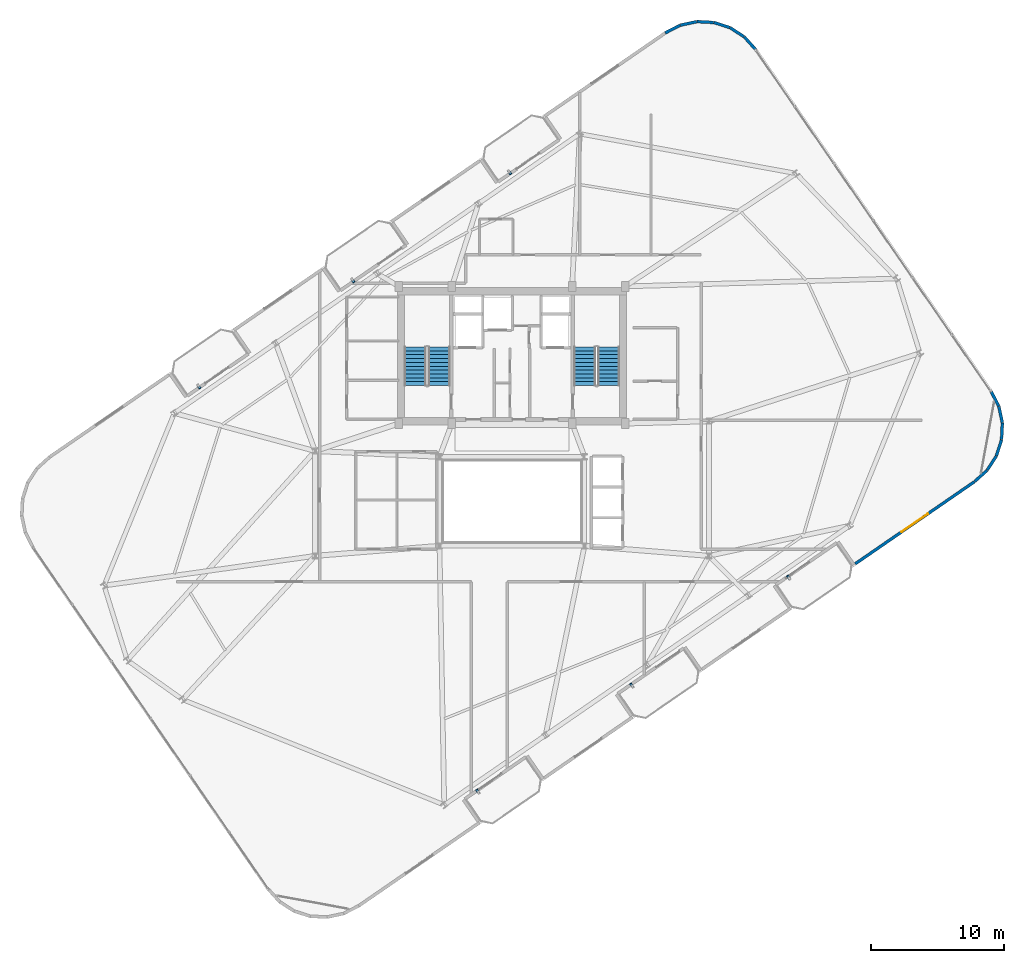
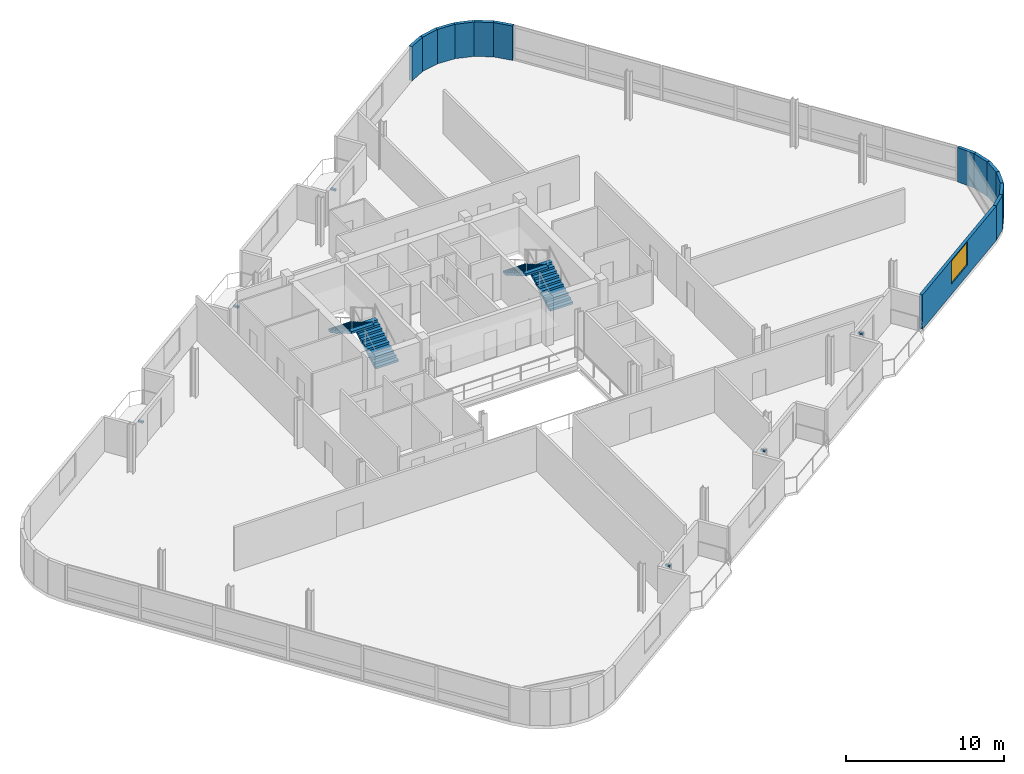
# One storey, part 20 of 23: 13 walls, 6 discrete accessories, 4 stair flights, 1 window, 1 opening, 2 elements without a shape of their own.
"""IFC4 building model written with IfcOpenShell, lengths in metres."""

from ifc_helpers import new_model, si_unit, direction, frame, frame_2d, origin, origin_2d, place, context, subcontext, project, spatial, polyline, rectangle, outline, extrude, source, transform, mapped, material, layer, layer_set, type_object, element, fill, aggregate, save


model = new_model("IFC4")

# Units and contexts
model_context = context("Model", 3, precision=1e-05, world=origin(), true_north=direction((0.0, 1.0)))
body_context = subcontext(model_context, "Body", "Model", "MODEL_VIEW")
ifc_project = project(units=[si_unit("LENGTHUNIT", "METRE"), si_unit("AREAUNIT", "SQUARE_METRE"), si_unit("VOLUMEUNIT", "CUBIC_METRE"), si_unit("PLANEANGLEUNIT", "RADIAN"), si_unit("MASSUNIT", "GRAM", prefix="KILO")], contexts=[model_context])

# Site, building, storey
site_placement = place(None, origin())
site = spatial("IfcSite", under=ifc_project, at=site_placement, CompositionType="ELEMENT")
building_placement = place(site_placement, origin())
building = spatial("IfcBuilding", under=site, at=building_placement, Name="Varnelok Gate Tower", CompositionType="ELEMENT")
storey_placement = place(building_placement, frame((0.0, 0.0, 287.800048828125)))
storey = spatial("IfcBuildingStorey", under=building, at=storey_placement, Name="L74", CompositionType="ELEMENT", Elevation=287.800048828125)

# Wall, opening, window
ifc_material_1 = material(Name="Concrete C45/55", Category="concrete")
ifc_layer = layer(ifc_material_1, 0.219970703125)
ifc_layer_set = layer_set([ifc_layer], Name="Concrete C45/55")
wall_type = type_object("IfcWallType", Name="EW-BALC-220", PredefinedType="SOLIDWALL", material=ifc_layer_set)
wall_1_placement = place(storey_placement, frame((64.9921875, 18.197998046875, 0.0), z_axis=(0.0, 0.0, 1.0), x_axis=(0.823538117322, 0.56726093583, 0.0)))
wall_1 = element("IfcWall", 1, at=wall_1_placement, inside=storey, type_object=wall_type, Name="L74 Perimeter Facade Closure Wall 16", PredefinedType="SOLIDWALL", context=body_context, shape_type="SweptSolid", body=[
    extrude(rectangle(XDim=10.880126953125, YDim=0.219970703125, at=frame_2d((5.43994140625, 0.0))), origin(), (0.0, 0.0, 1.0), 2.659912109375),
])
opening_placement = place(wall_1_placement, frame((4.239990234375, 0.0, 0.800048828125)))
opening = element("IfcOpeningElement", 2, at=opening_placement, cuts=wall_1, Name="Opening WN6A", PredefinedType="OPENING", context=body_context, shape_type="SweptSolid", body=[
    extrude(rectangle(XDim=2.39990234375, YDim=1.780029296875, at=frame_2d((1.199951171875, 0.89013671875))), frame((0.0, 0.119873046875, 0.0), z_axis=(0.0, -1.0, 0.0), x_axis=(1.0, 0.0, 0.0)), (0.0, 0.0, 1.0), 0.239990234375),
])
ifc_material_2 = material(Name="Low-E Laminated Double Glazing IGU", Category="glass")
window_type = type_object("IfcWindowType", Name="WN-PEN-2400X1780", PartitioningType="SINGLE_PANEL", PredefinedType="WINDOW", material=ifc_material_2)
window_placement = place(opening_placement, origin())
window = element("IfcWindow", 3, at=window_placement, inside=storey, type_object=window_type, Name="L74 Perimeter Vision Window 16", OverallHeight=1.780029296875, OverallWidth=2.39990234375, PartitioningType="SINGLE_PANEL", PredefinedType="WINDOW", context=body_context, shape_type="SweptSolid", body=[
    extrude(rectangle(XDim=2.39990234375, YDim=1.780029296875, at=frame_2d((1.199951171875, 0.89013671875))), frame((0.0, 0.030029296875, 0.0), z_axis=(0.0, -1.0, 0.0), x_axis=(1.0, 0.0, 0.0)), (0.0, 0.0, 1.0), 0.06005859375),
])
fill(opening, window)

# Walls
wall_2_placement = place(storey_placement, frame((73.970947265625, 24.38671875, 0.0), z_axis=(0.0, 0.0, 1.0), x_axis=(0.742501517089, 0.669844382764, 0.0)))
element("IfcWall", 4, at=wall_2_placement, inside=storey, type_object=wall_type, Name="L74 Perimeter Facade Closure Wall 17", PredefinedType="SOLIDWALL", context=body_context, shape_type="SweptSolid", body=[
    extrude(rectangle(XDim=1.256591796875, YDim=0.219970703125, at=frame_2d((0.62841796875, 0.0))), origin(), (0.0, 0.0, 1.0), 2.659912109375),
])
wall_3_placement = place(storey_placement, frame((74.91748046875, 25.24951171875, 0.0), z_axis=(0.0, 0.0, 1.0), x_axis=(0.543778157277, 0.839229000731, 0.0)))
element("IfcWall", 5, at=wall_3_placement, inside=storey, type_object=wall_type, Name="L74 Perimeter Facade Closure Wall 18", PredefinedType="SOLIDWALL", context=body_context, shape_type="SweptSolid", body=[
    extrude(rectangle(XDim=1.24853515625, YDim=0.219970703125, at=frame_2d((0.624267578125, 0.0))), origin(), (0.0, 0.0, 1.0), 2.659912109375),
])
for number, where, z_axis, x_axis, name in (
    (6, (75.604248046875, 26.321044921875, 0.0), (0.0, 0.0, 1.0), (0.307945220076, 0.951404089455, 0.0), "L74 Perimeter Facade Closure Wall 19"),
    (7, (75.989990234375, 27.533935546875, 0.0), (0.0, 0.0, 1.0), (0.05141975041, 0.998677129641, 0.0), "L74 Perimeter Facade Closure Wall 20"),
    (8, (76.048828125, 28.805419921875, 0.0), (0.0, 0.0, 1.0), (-0.208808017511, 0.977956651301, 0.0), "L74 Perimeter Facade Closure Wall 21"),
    (9, (75.776611328125, 30.048828125, 0.0), (0.0, 0.0, 1.0), (-0.454938817534, 0.890522696118, 0.0), "L74 Perimeter Facade Closure Wall 22"),
):
    element("IfcWall", number, at=place(storey_placement, frame(where, z_axis=z_axis, x_axis=x_axis)), inside=storey, type_object=wall_type, Name=name, PredefinedType="SOLIDWALL", context=body_context, shape_type="SweptSolid", body=[
        extrude(rectangle(XDim=1.248779296875, YDim=0.219970703125, at=frame_2d((0.62451171875, 0.0))), origin(), (0.0, 0.0, 1.0), 2.659912109375),
    ])
wall_4_placement = place(storey_placement, frame((57.509765625, 56.85498046875, 0.0), z_axis=(0.0, 0.0, 1.0), x_axis=(-0.669853727156, 0.742493086982, 0.0)))
element("IfcWall", 10, at=wall_4_placement, inside=storey, type_object=wall_type, Name="L74 Perimeter Facade Closure Wall 23", PredefinedType="SOLIDWALL", context=body_context, shape_type="SweptSolid", body=[
    extrude(rectangle(XDim=1.27392578125, YDim=0.219970703125, at=frame_2d((0.636962890625, 0.0))), origin(), (0.0, 0.0, 1.0), 2.659912109375),
])
wall_5_placement = place(storey_placement, frame((56.635498046875, 57.814208984375, 0.0), z_axis=(0.0, 0.0, 1.0), x_axis=(-0.839229000731, 0.543778157277, 0.0)))
element("IfcWall", 11, at=wall_5_placement, inside=storey, type_object=wall_type, Name="L74 Perimeter Facade Closure Wall 24", PredefinedType="SOLIDWALL", context=body_context, shape_type="SweptSolid", body=[
    extrude(rectangle(XDim=1.24853515625, YDim=0.219970703125, at=frame_2d((0.624267578125, 0.0))), origin(), (0.0, 0.0, 1.0), 2.659912109375),
])
for number, where, z_axis, x_axis, name in (
    (12, (55.56396484375, 58.5009765625, 0.0), (0.0, 0.0, 1.0), (-0.951404089455, 0.307945220076, 0.0), "L74 Perimeter Facade Closure Wall 25"),
    (13, (54.35107421875, 58.88671875, 0.0), (0.0, 0.0, 1.0), (-0.998687150602, 0.051224752047, 0.0), "L74 Perimeter Facade Closure Wall 26"),
    (14, (53.07958984375, 58.945556640625, 0.0), (0.0, 0.0, 1.0), (-0.977956651301, -0.208808017511, 0.0), "L74 Perimeter Facade Closure Wall 27"),
):
    element("IfcWall", number, at=place(storey_placement, frame(where, z_axis=z_axis, x_axis=x_axis)), inside=storey, type_object=wall_type, Name=name, PredefinedType="SOLIDWALL", context=body_context, shape_type="SweptSolid", body=[
        extrude(rectangle(XDim=1.248779296875, YDim=0.219970703125, at=frame_2d((0.62451171875, 0.0))), origin(), (0.0, 0.0, 1.0), 2.659912109375),
    ])
wall_6_placement = place(storey_placement, frame((51.836181640625, 58.67333984375, 0.0), z_axis=(0.0, 0.0, 1.0), x_axis=(-0.890586847538, -0.454813222095, 0.0)))
element("IfcWall", 15, at=wall_6_placement, inside=storey, type_object=wall_type, Name="L74 Perimeter Facade Closure Wall 28", PredefinedType="SOLIDWALL", context=body_context, shape_type="SweptSolid", body=[
    extrude(rectangle(XDim=1.256591796875, YDim=0.219970703125, at=frame_2d((0.62841796875, 0.0))), origin(), (0.0, 0.0, 1.0), 2.659912109375),
])

# Stair, stair flights
ifc_material_3 = material(Name="Concrete C50/60", Category="concrete")
stair_type = type_object("IfcStairType", Name="STR-CORE-1650", PredefinedType="HALF_TURN_STAIR", material=ifc_material_3)
stair_1_placement = place(storey_placement, origin())
stair_1 = element("IfcStair", 16, at=stair_1_placement, inside=storey, type_object=stair_type, Name="L74 Exit Stair ST-1", PredefinedType="HALF_TURN_STAIR")
stair_flight_type = type_object("IfcStairFlightType", Name="SFL-CORE-1650", PredefinedType="STRAIGHT", material=ifc_material_3)
stair_flight_1_placement = place(storey_placement, frame((33.72509765625, 31.60009765625, 0.0), z_axis=(0.0, 0.0, 1.0), x_axis=(0.0, 1.0, 0.0)))
stair_flight_1 = element("IfcStairFlight", 17, at=stair_flight_1_placement, type_object=stair_flight_type, Name="ST-1 flight 1", NumberOfRisers=11, NumberOfTreads=10, PredefinedType="STRAIGHT", RiserHeight=0.168181818, TreadLength=0.29, context=body_context, shape_type="SweptSolid", body=[
    extrude(outline(polyline([(0.0, 0.0), (0.0, 0.168212890625), (0.2900390625, 0.168212890625), (0.2900390625, 0.33642578125), (0.580078125, 0.33642578125), (0.580078125, 0.504638671875), (0.8701171875, 0.504638671875), (0.8701171875, 0.672607421875), (1.159912109375, 0.672607421875), (1.159912109375, 0.8408203125), (1.449951171875, 0.8408203125), (1.449951171875, 1.009033203125), (1.739990234375, 1.009033203125), (1.739990234375, 1.17724609375), (2.030029296875, 1.17724609375), (2.030029296875, 1.345458984375), (2.320068359375, 1.345458984375), (2.320068359375, 1.513671875), (2.610107421875, 1.513671875), (2.610107421875, 1.681884765625), (2.89990234375, 1.681884765625), (2.89990234375, 1.85009765625), (2.89990234375, 1.508544921875), (0.298828125, 0.0), (0.0, 0.0)])), frame((0.0, 0.824951171875, 0.0), z_axis=(0.0, -1.0, 0.0), x_axis=(1.0, 0.0, 0.0)), (0.0, 0.0, 1.0), 1.64990234375),
])
stair_flight_2_placement = place(storey_placement, frame((31.925048828125, 34.5, 1.849853515625), z_axis=(0.0, 0.0, 1.0), x_axis=(0.0, -1.0, 0.0)))
stair_flight_2 = element("IfcStairFlight", 18, at=stair_flight_2_placement, type_object=stair_flight_type, Name="ST-1 flight 2", NumberOfRisers=11, NumberOfTreads=10, PredefinedType="STRAIGHT", RiserHeight=0.168181818, TreadLength=0.29, context=body_context, shape_type="SweptSolid", body=[
    extrude(outline(polyline([(0.0, 0.0), (0.0, 0.168212890625), (0.2900390625, 0.168212890625), (0.2900390625, 0.33642578125), (0.580078125, 0.33642578125), (0.580078125, 0.504638671875), (0.8701171875, 0.504638671875), (0.8701171875, 0.672607421875), (1.159912109375, 0.672607421875), (1.159912109375, 0.8408203125), (1.449951171875, 0.8408203125), (1.449951171875, 1.009033203125), (1.739990234375, 1.009033203125), (1.739990234375, 1.17724609375), (2.030029296875, 1.17724609375), (2.030029296875, 1.345458984375), (2.320068359375, 1.345458984375), (2.320068359375, 1.513671875), (2.610107421875, 1.513671875), (2.610107421875, 1.681884765625), (2.89990234375, 1.681884765625), (2.89990234375, 1.85009765625), (2.89990234375, 1.508544921875), (0.298828125, 0.0), (0.0, 0.0)])), frame((0.0, 0.824951171875, 0.0), z_axis=(0.0, -1.0, 0.0), x_axis=(1.0, 0.0, 0.0)), (0.0, 0.0, 1.0), 1.64990234375),
])
aggregate(stair_1, [stair_flight_1, stair_flight_2])

stair_2_placement = place(storey_placement, origin())
stair_2 = element("IfcStair", 19, at=stair_2_placement, inside=storey, type_object=stair_type, Name="L74 Exit Stair ST-2", PredefinedType="HALF_TURN_STAIR")
stair_flight_3_placement = place(storey_placement, frame((46.47509765625, 31.60009765625, 0.0), z_axis=(0.0, 0.0, 1.0), x_axis=(0.0, 1.0, 0.0)))
stair_flight_3 = element("IfcStairFlight", 20, at=stair_flight_3_placement, type_object=stair_flight_type, Name="ST-2 flight 1", NumberOfRisers=11, NumberOfTreads=10, PredefinedType="STRAIGHT", RiserHeight=0.168181818, TreadLength=0.29, context=body_context, shape_type="SweptSolid", body=[
    extrude(outline(polyline([(0.0, 0.0), (0.0, 0.168212890625), (0.2900390625, 0.168212890625), (0.2900390625, 0.33642578125), (0.580078125, 0.33642578125), (0.580078125, 0.504638671875), (0.8701171875, 0.504638671875), (0.8701171875, 0.672607421875), (1.159912109375, 0.672607421875), (1.159912109375, 0.8408203125), (1.449951171875, 0.8408203125), (1.449951171875, 1.009033203125), (1.739990234375, 1.009033203125), (1.739990234375, 1.17724609375), (2.030029296875, 1.17724609375), (2.030029296875, 1.345458984375), (2.320068359375, 1.345458984375), (2.320068359375, 1.513671875), (2.610107421875, 1.513671875), (2.610107421875, 1.681884765625), (2.89990234375, 1.681884765625), (2.89990234375, 1.85009765625), (2.89990234375, 1.508544921875), (0.298828125, 0.0), (0.0, 0.0)])), frame((0.0, 0.824951171875, 0.0), z_axis=(0.0, -1.0, 0.0), x_axis=(1.0, 0.0, 0.0)), (0.0, 0.0, 1.0), 1.64990234375),
])
stair_flight_4_placement = place(storey_placement, frame((44.675048828125, 34.5, 1.849853515625), z_axis=(0.0, 0.0, 1.0), x_axis=(0.0, -1.0, 0.0)))
stair_flight_4 = element("IfcStairFlight", 21, at=stair_flight_4_placement, type_object=stair_flight_type, Name="ST-2 flight 2", NumberOfRisers=11, NumberOfTreads=10, PredefinedType="STRAIGHT", RiserHeight=0.168181818, TreadLength=0.29, context=body_context, shape_type="SweptSolid", body=[
    extrude(outline(polyline([(0.0, 0.0), (0.0, 0.168212890625), (0.2900390625, 0.168212890625), (0.2900390625, 0.33642578125), (0.580078125, 0.33642578125), (0.580078125, 0.504638671875), (0.8701171875, 0.504638671875), (0.8701171875, 0.672607421875), (1.159912109375, 0.672607421875), (1.159912109375, 0.8408203125), (1.449951171875, 0.8408203125), (1.449951171875, 1.009033203125), (1.739990234375, 1.009033203125), (1.739990234375, 1.17724609375), (2.030029296875, 1.17724609375), (2.030029296875, 1.345458984375), (2.320068359375, 1.345458984375), (2.320068359375, 1.513671875), (2.610107421875, 1.513671875), (2.610107421875, 1.681884765625), (2.89990234375, 1.681884765625), (2.89990234375, 1.85009765625), (2.89990234375, 1.508544921875), (0.298828125, 0.0), (0.0, 0.0)])), frame((0.0, 0.824951171875, 0.0), z_axis=(0.0, -1.0, 0.0), x_axis=(1.0, 0.0, 0.0)), (0.0, 0.0, 1.0), 1.64990234375),
])
aggregate(stair_2, [stair_flight_3, stair_flight_4])

# Discrete accessories
ifc_material_4 = material(Name="Structural Steel ASTM A500 Grade C", Category="steel")
discrete_accessory_type = type_object("IfcDiscreteAccessoryType", Name="ACC-BAGUETTE-BRK", PredefinedType="BRACKET", material=ifc_material_4)
shared_shape = source(origin(), body_context, "Body", "SweptSolid", [
    extrude(rectangle(XDim=0.159912109375, YDim=0.340087890625, at=origin_2d()), origin(), (0.0, 0.0, 1.0), 0.139892578125),
])
for number, where, z_axis, x_axis, name in (
    (22, (36.62158203125, 1.09619140625, 1.97998046875), (0.0, 0.0, 1.0), (0.823532597628, 0.567268949127, 0.0), "L74 Terracotta Baguette Bracket 1.1"),
    (23, (48.195068359375, 9.068359375, 1.97998046875), (0.0, 0.0, 1.0), (0.823532597628, 0.567268949127, 0.0), "L74 Terracotta Baguette Bracket 2.1"),
    (24, (59.982666015625, 17.187744140625, 1.97998046875), (0.0, 0.0, 1.0), (0.823532597628, 0.567268949127, 0.0), "L74 Terracotta Baguette Bracket 3.1"),
    (25, (15.66650390625, 31.517333984375, 1.97998046875), (0.0, 0.0, 1.0), (0.823532597628, 0.567268949127, 0.0), "L74 Terracotta Baguette Bracket 4.1"),
    (26, (27.240234375, 39.489501953125, 1.97998046875), (0.0, 0.0, 1.0), (0.823532597628, 0.567268949127, 0.0), "L74 Terracotta Baguette Bracket 5.1"),
    (27, (39.027587890625, 47.609130859375, 1.97998046875), (0.0, 0.0, 1.0), (0.823532597628, 0.567268949127, 0.0), "L74 Terracotta Baguette Bracket 6.1"),
):
    element("IfcDiscreteAccessory", number, at=place(storey_placement, frame(where, z_axis=z_axis, x_axis=x_axis)), inside=storey, type_object=discrete_accessory_type, Name=name, PredefinedType="BRACKET", context=body_context, shape_type="MappedRepresentation", body=[
        mapped(shared_shape, transform((0.0, 0.0, 0.0), scale=1.0)),
    ])

save(model, "model.ifc")
